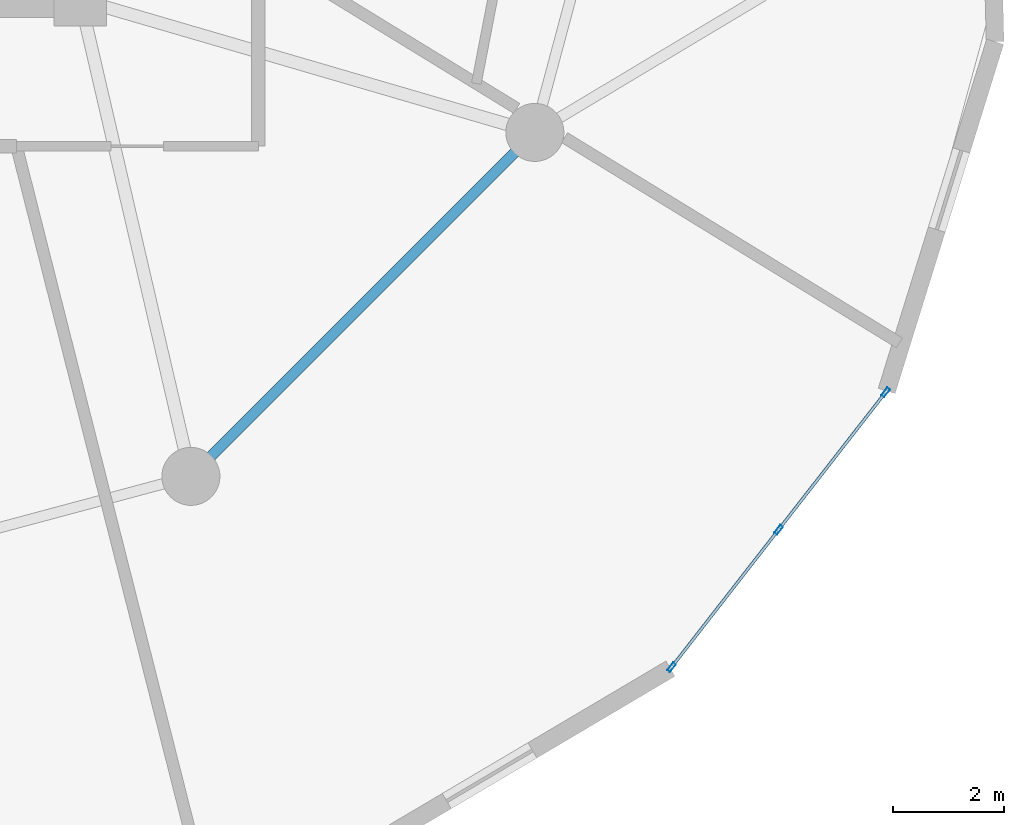
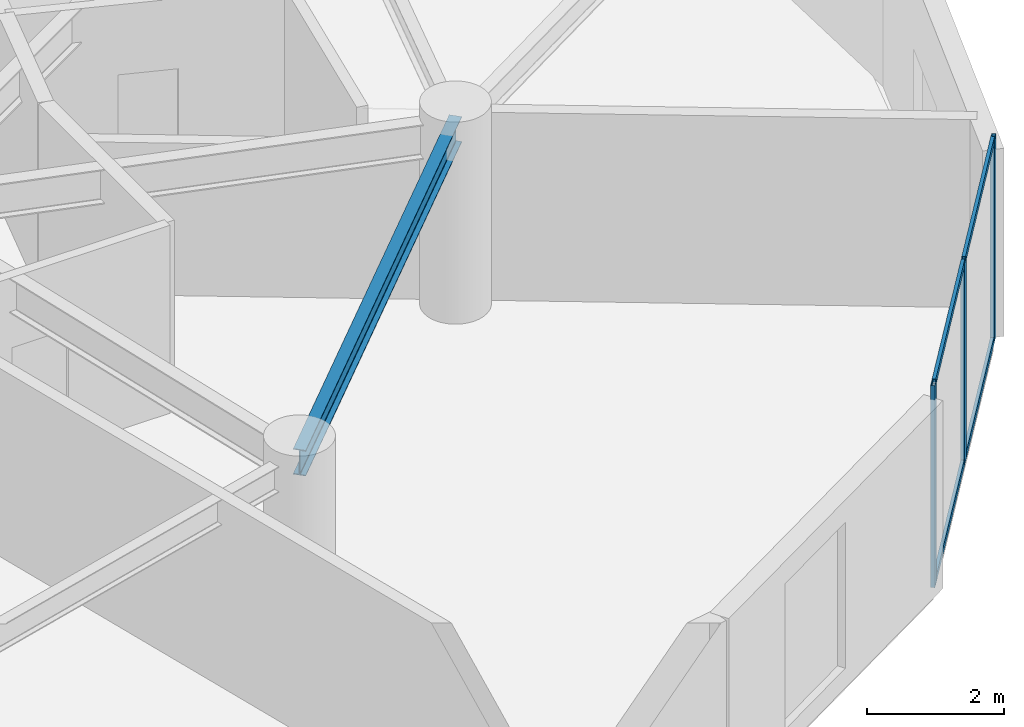
# One storey, part 8 of 20: 7 members, 1 beam, 1 element without a shape of its own.
"""IFC4 building model written with IfcOpenShell, lengths in metres."""

from ifc_helpers import new_model, si_unit, direction, frame, origin, origin_2d, place, context, subcontext, project, spatial, hollow_rectangle, i_section, extrude, source, transform, mapped, material, layer, layer_set, material_profile, profile_set, type_object, element, aggregate, save


model = new_model("IFC4")

# Units and contexts
model_context = context("Model", 3, precision=1e-05, world=origin(), true_north=direction((0.0, 1.0)))
body_context = subcontext(model_context, "Body", "Model", "MODEL_VIEW")
ifc_project = project(units=[si_unit("LENGTHUNIT", "METRE"), si_unit("AREAUNIT", "SQUARE_METRE"), si_unit("VOLUMEUNIT", "CUBIC_METRE"), si_unit("PLANEANGLEUNIT", "RADIAN"), si_unit("MASSUNIT", "GRAM", prefix="KILO")], contexts=[model_context])

# Site, building, storey
site_placement = place(None, origin())
site = spatial("IfcSite", under=ifc_project, at=site_placement, CompositionType="ELEMENT")
building_placement = place(site_placement, origin())
building = spatial("IfcBuilding", under=site, at=building_placement, Name="Solvirekh Grand Hotel", CompositionType="ELEMENT")
storey_placement = place(building_placement, frame((0.0, 0.0, 156.60009765625)))
storey = spatial("IfcBuildingStorey", under=building, at=storey_placement, Name="L40", CompositionType="ELEMENT", Elevation=156.60009765625)

# Beam
ifc_material_1 = material(Name="Steel S355", Category="steel")
ifc_material_profile_1 = material_profile(ifc_material_1, i_section(OverallWidth=0.18994140625, OverallDepth=0.45703125, WebThickness=0.009033203125, FlangeThickness=0.013916015625, FilletRadius=0.012939453125, at=origin_2d()), Name="W460X74")
ifc_profile_set_1 = profile_set([ifc_material_profile_1], Name="Steel S355")
beam_type = type_object("IfcBeamType", Name="Spandrel_Ring_W460", PredefinedType="SPANDREL", material=ifc_profile_set_1)
beam_placement = place(storey_placement, frame((8.5, -14.721923828125, 3.120849609375), z_axis=(0.707106781187, 0.707106781187, 0.0), x_axis=(-0.707106781187, 0.707106781187, 0.0)))
element("IfcBeam", 1, at=beam_placement, inside=storey, type_object=beam_type, Name="L40 perimeter spandrel beam 11", PredefinedType="SPANDREL", context=body_context, shape_type="SweptSolid", body=[
    extrude(i_section(OverallWidth=0.18994140625, OverallDepth=0.45703125, WebThickness=0.009033203125, FlangeThickness=0.013916015625, FilletRadius=0.012939453125, at=origin_2d()), origin(), (0.0, 0.0, 1.0), 8.799072265625),
])

# Curtain wall, members
ifc_material_2 = material(Name="Anodized Bronze Aluminium 6063-T6", Category="aluminium")
ifc_layer = layer(ifc_material_2, 0.175048828125)
ifc_layer_set = layer_set([ifc_layer], Name="Anodized Bronze Aluminium 6063-T6")
curtain_wall_type = type_object("IfcCurtainWallType", Name="CW_Sys3_MidZoneFlushBronzeCW", PredefinedType="NOTDEFINED", material=ifc_layer_set)
curtain_wall_placement = place(storey_placement, origin())
curtain_wall = element("IfcCurtainWall", 2, at=curtain_wall_placement, inside=storey, type_object=curtain_wall_type, Name="L40 unitised bronze-glass curtain wall CW-L40-C01", PredefinedType="NOTDEFINED")
ifc_material_profile_2 = material_profile(ifc_material_2, hollow_rectangle(XDim=0.06494140625, YDim=0.175048828125, WallThickness=0.0048828125, at=origin_2d()), Name="ALU RHS 175X65X5")
ifc_profile_set_2 = profile_set([ifc_material_profile_2], Name="Anodized Bronze Aluminium 6063-T6")
member_type_1 = type_object("IfcMemberType", Name="CWMullion_Sys3", PredefinedType="MULLION", material=ifc_profile_set_2)
shared_shape_1 = source(origin(), body_context, "Body", "SweptSolid", [
    extrude(hollow_rectangle(XDim=0.06494140625, YDim=0.175048828125, WallThickness=0.0048828125, at=origin_2d()), origin(), (0.0, 0.0, 1.0), 3.599853515625),
])
member_1_placement = place(storey_placement, frame((17.19384765625, -18.17529296875, 0.0), z_axis=(0.0, 0.0, 1.0), x_axis=(-0.788996991404, 0.614397060177, 0.0)))
member_1 = element("IfcMember", 3, at=member_1_placement, type_object=member_type_1, Name="U03 mullion 1", PredefinedType="MULLION", context=body_context, shape_type="MappedRepresentation", body=[
    mapped(shared_shape_1, transform((0.0, 0.0, 0.0), x_axis=(1.0, 0.0, 0.0), y_axis=(0.0, 1.0, 0.0), z_axis=(0.0, 0.0, 1.0), scale=1.0)),
])
member_2_placement = place(storey_placement, frame((19.130615234375, -15.6884765625, 0.0), z_axis=(0.0, 0.0, 1.0), x_axis=(-0.788996991404, 0.614397060177, 0.0)))
member_2 = element("IfcMember", 4, at=member_2_placement, type_object=member_type_1, Name="U03 mullion 2", PredefinedType="MULLION", context=body_context, shape_type="MappedRepresentation", body=[
    mapped(shared_shape_1, transform((0.0, 0.0, 0.0), x_axis=(1.0, 0.0, 0.0), y_axis=(0.0, 1.0, 0.0), z_axis=(0.0, 0.0, 1.0), scale=1.0)),
])
member_3_placement = place(storey_placement, frame((21.067138671875, -13.20166015625, 0.0), z_axis=(0.0, 0.0, 1.0), x_axis=(-0.788996991404, 0.614397060177, 0.0)))
member_3 = element("IfcMember", 5, at=member_3_placement, type_object=member_type_1, Name="U03 mullion 3", PredefinedType="MULLION", context=body_context, shape_type="MappedRepresentation", body=[
    mapped(shared_shape_1, transform((0.0, 0.0, 0.0), x_axis=(1.0, 0.0, 0.0), y_axis=(0.0, 1.0, 0.0), z_axis=(0.0, 0.0, 1.0), scale=1.0)),
])
ifc_material_profile_3 = material_profile(ifc_material_2, hollow_rectangle(XDim=0.054931640625, YDim=0.1201171875, WallThickness=0.00390625, at=origin_2d()), Name="ALU RHS 120X55X4")
ifc_profile_set_3 = profile_set([ifc_material_profile_3], Name="Anodized Bronze Aluminium 6063-T6")
member_type_2 = type_object("IfcMemberType", Name="CWTransom_Sys3", PredefinedType="USERDEFINED", material=ifc_profile_set_3)
shared_shape_2 = source(origin(), body_context, "Body", "SweptSolid", [
    extrude(hollow_rectangle(XDim=0.054931640625, YDim=0.1201171875, WallThickness=0.00390625, at=origin_2d()), origin(), (0.0, 0.0, 1.0), 3.0869140625),
])
member_4_placement = place(storey_placement, frame((17.2138671875, -18.149658203125, 0.02734375), z_axis=(0.614427794826, 0.788973057173, 0.0), x_axis=(-0.788973057173, 0.614427794826, 0.0)))
member_4 = element("IfcMember", 6, at=member_4_placement, type_object=member_type_2, Name="U03 transom 1.1", ObjectType="TRANSOM", PredefinedType="USERDEFINED", context=body_context, shape_type="MappedRepresentation", body=[
    mapped(shared_shape_2, transform((0.0, 0.0, 0.0), x_axis=(1.0, 0.0, 0.0), y_axis=(0.0, 1.0, 0.0), z_axis=(0.0, 0.0, 1.0), scale=1.0)),
])
member_5_placement = place(storey_placement, frame((17.2138671875, -18.149658203125, 3.572509765625), z_axis=(0.614427794826, 0.788973057173, 0.0), x_axis=(-0.788973057173, 0.614427794826, 0.0)))
member_5 = element("IfcMember", 7, at=member_5_placement, type_object=member_type_2, Name="U03 transom 1.2", ObjectType="TRANSOM", PredefinedType="USERDEFINED", context=body_context, shape_type="MappedRepresentation", body=[
    mapped(shared_shape_2, transform((0.0, 0.0, 0.0), x_axis=(1.0, 0.0, 0.0), y_axis=(0.0, 1.0, 0.0), z_axis=(0.0, 0.0, 1.0), scale=1.0)),
])
member_6_placement = place(storey_placement, frame((19.150390625, -15.662841796875, 0.02734375), z_axis=(0.614427794826, 0.788973057173, 0.0), x_axis=(-0.788973057173, 0.614427794826, 0.0)))
member_6 = element("IfcMember", 8, at=member_6_placement, type_object=member_type_2, Name="U03 transom 2.1", ObjectType="TRANSOM", PredefinedType="USERDEFINED", context=body_context, shape_type="MappedRepresentation", body=[
    mapped(shared_shape_2, transform((0.0, 0.0, 0.0), x_axis=(1.0, 0.0, 0.0), y_axis=(0.0, 1.0, 0.0), z_axis=(0.0, 0.0, 1.0), scale=1.0)),
])
member_7_placement = place(storey_placement, frame((19.150390625, -15.662841796875, 3.572509765625), z_axis=(0.614427794826, 0.788973057173, 0.0), x_axis=(-0.788973057173, 0.614427794826, 0.0)))
member_7 = element("IfcMember", 9, at=member_7_placement, type_object=member_type_2, Name="U03 transom 2.2", ObjectType="TRANSOM", PredefinedType="USERDEFINED", context=body_context, shape_type="MappedRepresentation", body=[
    mapped(shared_shape_2, transform((0.0, 0.0, 0.0), x_axis=(1.0, 0.0, 0.0), y_axis=(0.0, 1.0, 0.0), z_axis=(0.0, 0.0, 1.0), scale=1.0)),
])
aggregate(curtain_wall, [member_1, member_2, member_3, member_4, member_5, member_6, member_7])

save(model, "model.ifc")
